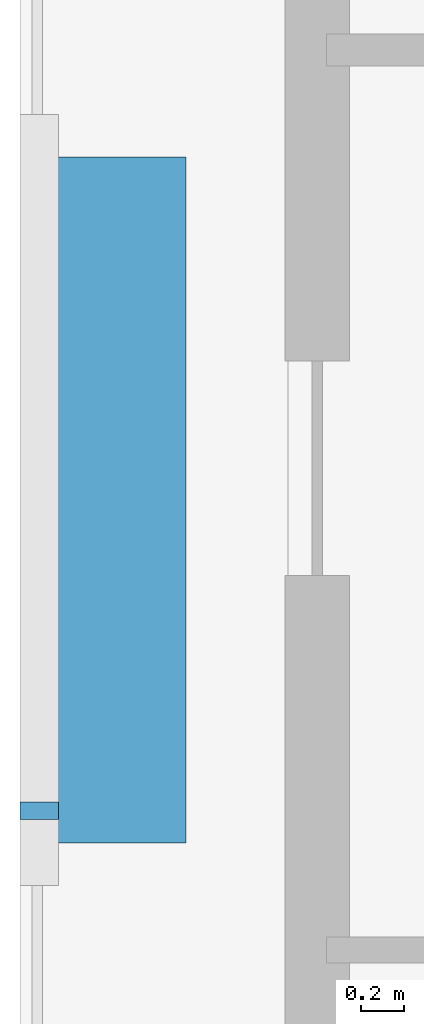
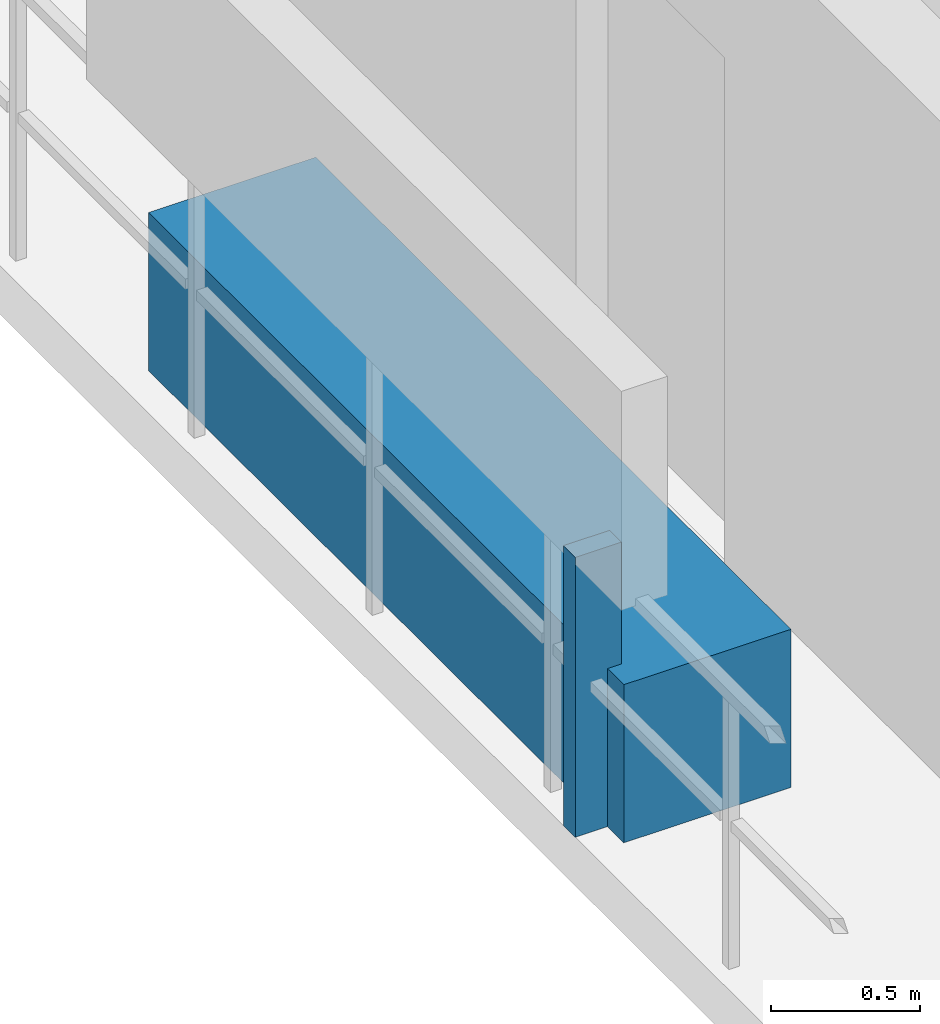
# One storey, part 28 of 33: 2 discrete accessories.
"""IFC4 building model written with IfcOpenShell, lengths in metres."""

import ifcopenshell
import ifcopenshell.guid

model = None  # the IFC model being written
_history = None  # IfcOwnerHistory: only IFC2X3 demands one
_inside = {}  # id of a spatial element -> (the spatial element, [elements in it])
_under = {}  # id of a project, library or spatial element -> (it, [spatial elements below it])
_declared = {}  # id of a project -> (the project, [libraries it declares])
_typed = {}  # id of a type object -> (the type object, [elements of that type])
_made_of = {}  # id of a material, layer set ... -> (it, [elements and type objects made of it])


def new_model(schema):
    """Start an empty IFC model of exactly this schema.

    Asked for "IFC4X3", IfcOpenShell would pick the latest addendum, in which some entities
    have other attributes; the version numbers below select the first issue.
    IFC2X3 requires an IfcOwnerHistory on every rooted entity: one is made here for all.
    """
    global model, _history
    if schema == "IFC4X3":
        model = ifcopenshell.file(schema_version=(4, 3, 0, 0))
    else:
        model = ifcopenshell.file(schema=schema)
    _inside.clear()
    _under.clear()
    _declared.clear()
    _typed.clear()
    _made_of.clear()
    _history = None
    if model.schema == "IFC2X3":
        org = make("IfcOrganization", Name="unknown")
        user = make(
            "IfcPersonAndOrganization",
            ThePerson=make("IfcPerson", FamilyName="unknown"),
            TheOrganization=org,
        )
        app = make(
            "IfcApplication",
            ApplicationDeveloper=org,
            Version="unknown",
            ApplicationFullName="unknown",
            ApplicationIdentifier="unknown",
        )
        _history = make(
            "IfcOwnerHistory",
            OwningUser=user,
            OwningApplication=app,
            ChangeAction="ADDED",
            CreationDate=0,
        )
    return model


def make(cls, **values):
    """One entity of the class cls with the attributes given. An attribute that is None is left unset."""
    return model.create_entity(
        cls, **{name: value for name, value in values.items() if value is not None}
    )


def rooted(cls, **values):
    """An entity with a GlobalId (a new one), such as an element, a storey or a relation."""
    return make(cls, GlobalId=ifcopenshell.guid.new(), OwnerHistory=_history, **values)


def si_unit(unit_type, name, prefix=None):
    """IfcSIUnit, for example si_unit("LENGTHUNIT", "METRE", prefix="MILLI")."""
    return make("IfcSIUnit", UnitType=unit_type, Prefix=prefix, Name=name)


def assignment(units):
    """IfcUnitAssignment: the units of a project."""
    return None if units is None else make("IfcUnitAssignment", Units=units)


def point(xyz):
    """IfcCartesianPoint."""
    return None if xyz is None else make("IfcCartesianPoint", Coordinates=xyz)


def direction(xyz):
    """IfcDirection."""
    return None if xyz is None else make("IfcDirection", DirectionRatios=xyz)


def frame(location, z_axis=None, x_axis=None):
    """IfcAxis2Placement3D, a coordinate frame: its origin and axes. An axis left out is left unset."""
    return make(
        "IfcAxis2Placement3D",
        Location=point(location),
        Axis=direction(z_axis),
        RefDirection=direction(x_axis),
    )


def frame_2d(location, x_axis=None):
    """IfcAxis2Placement2D, a coordinate frame in the plane: its origin and x axis."""
    return make(
        "IfcAxis2Placement2D", Location=point(location), RefDirection=direction(x_axis)
    )


def origin():
    """The frame at (0, 0, 0) with its axes left unset."""
    return frame((0.0, 0.0, 0.0))


def origin_2d():
    """The frame at (0, 0) in the plane with its x axis left unset."""
    return frame_2d((0.0, 0.0))


def place(relative_to, where):
    """IfcLocalPlacement: puts the frame where relative to a parent placement (None: the world)."""
    return make(
        "IfcLocalPlacement", PlacementRelTo=relative_to, RelativePlacement=where
    )


def context(
    kind, dimensions, precision=None, world=None, true_north=None, identifier=None
):
    """IfcGeometricRepresentationContext, for example the 3D "Model" context."""
    return make(
        "IfcGeometricRepresentationContext",
        ContextIdentifier=identifier,
        ContextType=kind,
        CoordinateSpaceDimension=dimensions,
        Precision=precision,
        WorldCoordinateSystem=world,
        TrueNorth=true_north,
    )


def subcontext(parent, identifier, kind, view, scale=None):
    """IfcGeometricRepresentationSubContext, for example "Body" below "Model"."""
    return make(
        "IfcGeometricRepresentationSubContext",
        ContextIdentifier=identifier,
        ContextType=kind,
        ParentContext=parent,
        TargetScale=scale,
        TargetView=view,
    )


def project(units=None, contexts=None):
    """IfcProject with its units and contexts."""
    return rooted(
        "IfcProject",
        Name="project",
        RepresentationContexts=contexts,
        UnitsInContext=assignment(units),
    )


def spatial(cls, under=None, at=None, **own):
    """A site, building, storey or space (cls), placed at a placement, below another one or the project."""
    s = rooted(cls, ObjectPlacement=at, **own)
    if under is not None:
        _under.setdefault(under.id(), (under, []))[1].append(s)
    return s


def profile(cls, at=None, kind="AREA", **sizes):
    """A parametric profile (cls). Its sizes go by their IFC names, for example OverallWidth=200.0."""
    return make(cls, ProfileType=kind, Position=at, **sizes)


def rectangle(**sizes):
    """IfcRectangleProfileDef."""
    return profile("IfcRectangleProfileDef", **sizes)


def extrude(swept, where, along, depth):
    """IfcExtrudedAreaSolid: the profile swept, set in the frame where, extruded along a direction by depth."""
    return make(
        "IfcExtrudedAreaSolid",
        SweptArea=swept,
        Position=where,
        ExtrudedDirection=direction(along),
        Depth=depth,
    )


def shape(context_of_items, identifier, shape_type, items):
    """IfcShapeRepresentation: the items that make up one representation, for example the "Body"."""
    return make(
        "IfcShapeRepresentation",
        ContextOfItems=context_of_items,
        RepresentationIdentifier=identifier,
        RepresentationType=shape_type,
        Items=items,
    )


def material(Name=None, Category=None):
    """IfcMaterial."""
    return make("IfcMaterial", Name=Name, Category=Category)


def made_of(thing, what):
    """Note that an element or type object is made of a material, layer set ...; save() writes the relation."""
    if what is not None:
        _made_of.setdefault(what.id(), (what, []))[1].append(thing)
    return thing


def type_object(cls, material=None, **own):
    """A type object (cls), such as IfcWallType, which elements share."""
    return made_of(rooted(cls, **own), material)


def element(
    cls,
    number,
    at=None,
    inside=None,
    cuts=None,
    type_object=None,
    material=None,
    context=None,
    identifier="Body",
    shape_type=None,
    held_by="IfcProductDefinitionShape",
    body=None,
    shapes=None,
    **own,
):
    """One element of the class cls, such as IfcWall. Its Tag is "e" and its number.

    at: its placement. inside: the storey or other place that contains it. cuts: it is an
    opening in that element (IfcRelVoidsElement). A single representation is given by context,
    identifier, shape_type and body (its items); several are given by shapes. held_by: the class
    of the entity that holds the representations. save() writes the other relations.
    """
    e = rooted(cls, Tag="e%d" % number, ObjectPlacement=at, **own)
    if body is not None:
        shapes = [shape(context, identifier, shape_type, body)]
    if shapes is not None:
        e.Representation = make(held_by, Representations=shapes)
    if inside is not None:
        _inside.setdefault(inside.id(), (inside, []))[1].append(e)
    if cuts is not None:
        rooted(
            "IfcRelVoidsElement", RelatingBuildingElement=cuts, RelatedOpeningElement=e
        )
    if type_object is not None:
        _typed.setdefault(type_object.id(), (type_object, []))[1].append(e)
    return made_of(e, material)


def aggregate(whole, parts):
    """IfcRelAggregates: a whole, such as a stair, and the parts it consists of."""
    return rooted("IfcRelAggregates", RelatingObject=whole, RelatedObjects=parts)


def save(model, path):
    """Write the relations noted so far, then the file.

    IfcRelAggregates (storeys below a building ...), IfcRelContainedInSpatialStructure (elements
    in a storey), IfcRelDefinesByType, IfcRelAssociatesMaterial and IfcRelDeclares: one each for
    every whole, place, type object, material and project.
    """
    for whole, parts in _under.values():
        aggregate(whole, parts)
    for where, things in _inside.values():
        rooted(
            "IfcRelContainedInSpatialStructure",
            RelatedElements=things,
            RelatingStructure=where,
        )
    for kind, things in _typed.values():
        rooted("IfcRelDefinesByType", RelatedObjects=things, RelatingType=kind)
    for what, things in _made_of.values():
        rooted("IfcRelAssociatesMaterial", RelatedObjects=things, RelatingMaterial=what)
    for by, libraries in _declared.values():
        rooted("IfcRelDeclares", RelatingContext=by, RelatedDefinitions=libraries)
    model.write(path)


model = new_model("IFC4")

# Units and contexts
model_context = context("Model", 3, precision=1e-05, world=origin(), true_north=direction((0.0, 1.0)))
body_context = subcontext(model_context, "Body", "Model", "MODEL_VIEW")
ifc_project = project(units=[si_unit("LENGTHUNIT", "METRE"), si_unit("AREAUNIT", "SQUARE_METRE"), si_unit("VOLUMEUNIT", "CUBIC_METRE"), si_unit("PLANEANGLEUNIT", "RADIAN"), si_unit("MASSUNIT", "GRAM", prefix="KILO")], contexts=[model_context])

# Site, building, storey
site_placement = place(None, origin())
site = spatial("IfcSite", under=ifc_project, at=site_placement, CompositionType="ELEMENT")
building_placement = place(site_placement, origin())
building = spatial("IfcBuilding", under=site, at=building_placement, Name="Thornwick Lancets Civic Towers", CompositionType="ELEMENT")
storey_placement = place(building_placement, frame((0.0, 0.0, 207.300048828125)))
storey = spatial("IfcBuildingStorey", under=building, at=storey_placement, Name="L55", CompositionType="ELEMENT", Elevation=207.300048828125)

# Discrete accessories
ifc_material_1 = material(Name="Planted terracotta greenery planter", Category="masonry")
discrete_accessory_type_1 = type_object("IfcDiscreteAccessoryType", Name="ACC_PLANTER_BOX", PredefinedType="USERDEFINED", material=ifc_material_1)
discrete_accessory_1_placement = place(storey_placement, frame((0.800048828125, 27.0, 0.0), z_axis=(0.0, 0.0, 1.0), x_axis=(1.0, 0.0, 0.0)))
element("IfcDiscreteAccessory", 1, at=discrete_accessory_1_placement, inside=storey, type_object=discrete_accessory_type_1, Name="L55 Tower A Balcony Greenery Planter W", ObjectType="PLANTER", PredefinedType="USERDEFINED", context=body_context, shape_type="SweptSolid", body=[
    extrude(rectangle(XDim=0.64990234375, YDim=3.199951171875, at=origin_2d()), origin(), (0.0, 0.0, 1.0), 0.64990234375),
])
ifc_material_2 = material(Name="Stainless steel S355", Category="steel")
discrete_accessory_type_2 = type_object("IfcDiscreteAccessoryType", Name="ACC_SCREEN_BRACKET", PredefinedType="BRACKET", material=ifc_material_2)
discrete_accessory_2_placement = place(storey_placement, frame((0.43994140625, 25.550048828125, 0.0), z_axis=(0.0, 0.0, 1.0), x_axis=(0.0, 1.0, 0.0)))
element("IfcDiscreteAccessory", 2, at=discrete_accessory_2_placement, inside=storey, type_object=discrete_accessory_type_2, Name="L55 Tower A Balcony Screen Stanchion Bracket W-1", PredefinedType="BRACKET", context=body_context, shape_type="SweptSolid", body=[
    extrude(rectangle(XDim=0.080078125, YDim=0.179931640625, at=origin_2d()), origin(), (0.0, 0.0, 1.0), 1.14990234375),
])

save(model, "model.ifc")
